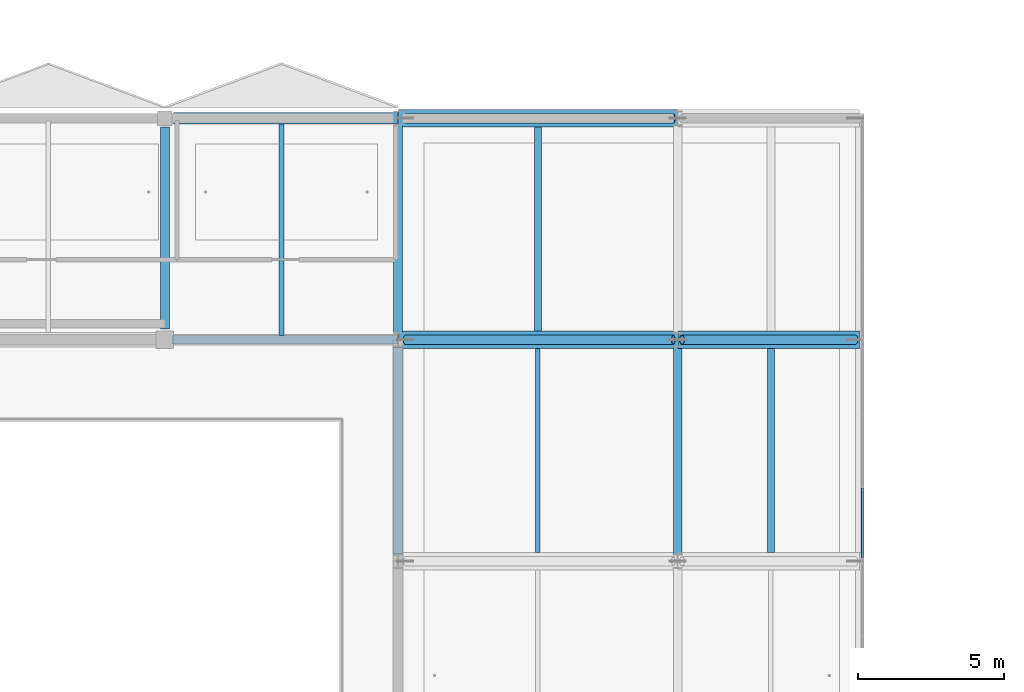
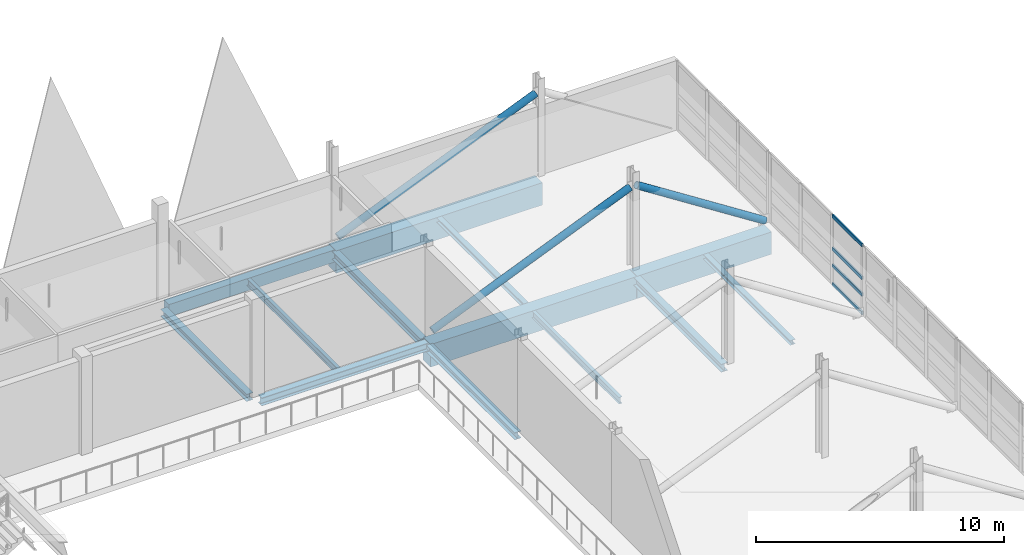
# One storey, part 23 of 141: 13 beams, 7 members, 1 element without a shape of its own.
"""IFC4 building model written with IfcOpenShell, lengths in metres."""

from ifc_helpers import new_model, si_unit, direction, frame, origin, origin_2d, place, context, subcontext, project, spatial, rectangle, hollow_rectangle, hollow_circle, i_section, extrude, material, material_profile, profile_set, type_object, element, aggregate, save


model = new_model("IFC4")

# Units and contexts
model_context = context("Model", 3, precision=1e-05, world=origin(), true_north=direction((0.0, 1.0)))
body_context = subcontext(model_context, "Body", "Model", "MODEL_VIEW")
ifc_project = project(units=[si_unit("LENGTHUNIT", "METRE"), si_unit("AREAUNIT", "SQUARE_METRE"), si_unit("VOLUMEUNIT", "CUBIC_METRE"), si_unit("PLANEANGLEUNIT", "RADIAN"), si_unit("MASSUNIT", "GRAM", prefix="KILO")], contexts=[model_context])

# Site, building, storey
site_placement = place(None, origin())
site = spatial("IfcSite", under=ifc_project, at=site_placement, CompositionType="ELEMENT")
building_placement = place(site_placement, origin())
building = spatial("IfcBuilding", under=site, at=building_placement, Name="Khelvaren Railside Concert Hall", CompositionType="ELEMENT")
storey_placement = place(building_placement, frame((0.0, 0.0, 10.199951171875)))
storey = spatial("IfcBuildingStorey", under=building, at=storey_placement, Name="L02", CompositionType="ELEMENT", Elevation=10.199951171875)

# Beams
ifc_material_1 = material(Name="Steel S355", Category="steel")
ifc_material_profile_1 = material_profile(ifc_material_1, i_section(OverallWidth=0.300048828125, OverallDepth=0.389892578125, WebThickness=0.010986328125, FlangeThickness=0.01904296875, FilletRadius=0.027099609375, at=origin_2d()), Name="HEA 400")
ifc_profile_set_1 = profile_set([ifc_material_profile_1], Name="Steel S355")
beam_type_1 = type_object("IfcBeamType", Name="BM23", PredefinedType="BEAM", material=ifc_profile_set_1)
beam_1_placement = place(storey_placement, frame((32.25, 38.0, -0.48486328125), z_axis=(1.0, 0.0, 0.0), x_axis=(0.0, 1.0, 0.0)))
element("IfcBeam", 1, at=beam_1_placement, inside=storey, type_object=beam_type_1, Name="V1 L02 Beam X6.5", PredefinedType="BEAM", context=body_context, shape_type="SweptSolid", body=[
    extrude(i_section(OverallWidth=0.300048828125, OverallDepth=0.389892578125, WebThickness=0.010986328125, FlangeThickness=0.01904296875, FilletRadius=0.027099609375, at=origin_2d()), origin(), (0.0, 0.0, 1.0), 7.739990234375),
])
for number, where, z_axis, x_axis, name in (
    (2, (40.0, 38.25, -0.48486328125), (0.0, 1.0, 0.0), (-1.0, 0.0, 0.0), "V1 L02 Beam Y6.6"),
    (3, (49.60009765625, 30.64990234375, -0.48486328125), (0.0, 1.0, 0.0), (-1.0, 0.0, 0.0), "V1 L02 Beam Y7.5"),
):
    element("IfcBeam", number, at=place(storey_placement, frame(where, z_axis=z_axis, x_axis=x_axis)), inside=storey, type_object=beam_type_1, Name=name, PredefinedType="BEAM", context=body_context, shape_type="SweptSolid", body=[
        extrude(i_section(OverallWidth=0.300048828125, OverallDepth=0.389892578125, WebThickness=0.010986328125, FlangeThickness=0.01904296875, FilletRadius=0.027099609375, at=origin_2d()), origin(), (0.0, 0.0, 1.0), 7.10009765625),
    ])
ifc_material_profile_2 = material_profile(ifc_material_1, i_section(OverallWidth=0.300048828125, OverallDepth=0.35009765625, WebThickness=0.010009765625, FlangeThickness=0.017578125, FilletRadius=0.027099609375, at=origin_2d()), Name="HEA 360")
ifc_profile_set_2 = profile_set([ifc_material_profile_2], Name="Steel S355")
beam_type_2 = type_object("IfcBeamType", Name="BM73", PredefinedType="BEAM", material=ifc_profile_set_2)
beam_2_placement = place(storey_placement, frame((32.0, 38.375, -0.46484375), z_axis=(0.0, 1.0, 0.0), x_axis=(-1.0, 0.0, 0.0)))
element("IfcBeam", 4, at=beam_2_placement, inside=storey, type_object=beam_type_2, Name="V1 L02 Beam Y5.6", PredefinedType="BEAM", context=body_context, shape_type="SweptSolid", body=[
    extrude(i_section(OverallWidth=0.300048828125, OverallDepth=0.35009765625, WebThickness=0.010009765625, FlangeThickness=0.017578125, FilletRadius=0.027099609375, at=origin_2d()), origin(), (0.0, 0.0, 1.0), 6.925048828125),
])
beam_3_placement = place(storey_placement, frame((40.0, 30.64990234375, -0.46484375), z_axis=(0.0, 1.0, 0.0), x_axis=(-1.0, 0.0, 0.0)))
element("IfcBeam", 5, at=beam_3_placement, inside=storey, type_object=beam_type_2, Name="V1 L02 Beam Y6.5", PredefinedType="BEAM", context=body_context, shape_type="SweptSolid", body=[
    extrude(i_section(OverallWidth=0.300048828125, OverallDepth=0.35009765625, WebThickness=0.010009765625, FlangeThickness=0.017578125, FilletRadius=0.027099609375, at=origin_2d()), origin(), (0.0, 0.0, 1.0), 7.10009765625),
])

# Members
ifc_material_profile_3 = material_profile(ifc_material_1, hollow_circle(Radius=0.161865234375, WallThickness=0.01611328125, at=origin_2d()), Name="CHS 323.9x16")
ifc_profile_set_3 = profile_set([ifc_material_profile_3], Name="Steel S355")
member_type_1 = type_object("IfcMemberType", Name="BR78", PredefinedType="BRACE", material=ifc_profile_set_3)
member_1_placement = place(storey_placement, frame((49.75, 38.0, 3.969970703125), z_axis=(0.841509273877, 0.0, -0.540242669528), x_axis=(0.0, 1.0, 0.0)))
element("IfcMember", 6, at=member_1_placement, inside=storey, type_object=member_type_1, Name="V1 L02 Plaza Cantilever Truss Diagonal 6A", PredefinedType="BRACE", context=body_context, shape_type="SweptSolid", body=[
    extrude(hollow_circle(Radius=0.161865234375, WallThickness=0.01611328125, at=origin_2d()), origin(), (0.0, 0.0, 1.0), 7.070556640625),
])
for number, where, z_axis, x_axis, name in (
    (7, (40.25, 38.0, 0.150146484375), (0.923556947284, 0.0, 0.38346129547), (0.0, 1.0, 0.0), "V1 L02 Plaza Cantilever Truss Backspan Diagonal 6B"),
    (8, (40.25, 45.60009765625, 0.150146484375), (0.923556947284, 0.0, 0.38346129547), (0.0, 1.0, 0.0), "V1 L02 Plaza Cantilever Truss Backspan Diagonal 7B"),
):
    element("IfcMember", number, at=place(storey_placement, frame(where, z_axis=z_axis, x_axis=x_axis)), inside=storey, type_object=member_type_1, Name=name, PredefinedType="BRACE", context=body_context, shape_type="SweptSolid", body=[
        extrude(hollow_circle(Radius=0.161865234375, WallThickness=0.01611328125, at=origin_2d()), origin(), (0.0, 0.0, 1.0), 9.96142578125),
    ])

# Curtain wall, members
ifc_material_2 = material(Name="Triple-glazed solar-control glass", Category="glass")
curtain_wall_type = type_object("IfcCurtainWallType", Name="CW80", PredefinedType="USERDEFINED", material=ifc_material_2)
curtain_wall_placement = place(storey_placement, origin())
curtain_wall = element("IfcCurtainWall", 9, at=curtain_wall_placement, inside=storey, type_object=curtain_wall_type, Name="Unitised Curtain Wall CW-V1-L02-E-30", ObjectType="UNITISED CURTAIN WALL", PredefinedType="USERDEFINED")
ifc_material_3 = material(Name="Anodised architectural aluminium 6063-T6", Category="aluminium")
ifc_material_profile_4 = material_profile(ifc_material_3, hollow_rectangle(XDim=0.074951171875, YDim=0.1650390625, WallThickness=0.00390625, InnerFilletRadius=0.001953125, OuterFilletRadius=0.00390625, at=origin_2d()), Name="CWT 75x165x4")
ifc_profile_set_4 = profile_set([ifc_material_profile_4], Name="Anodised architectural aluminium 6063-T6")
member_type_2 = type_object("IfcMemberType", Name="CWT46", PredefinedType="USERDEFINED", material=ifc_profile_set_4)
member_2_placement = place(storey_placement, frame((55.93994140625, 32.9091796875, 0.03759765625), z_axis=(0.0, -1.0, 0.0), x_axis=(1.0, 0.0, 0.0)))
member_2 = element("IfcMember", 10, at=member_2_placement, type_object=member_type_2, Name="CW80 transom 3.1", ObjectType="TRANSOM", PredefinedType="USERDEFINED", context=body_context, shape_type="SweptSolid", body=[
    extrude(hollow_rectangle(XDim=0.074951171875, YDim=0.1650390625, WallThickness=0.00390625, InnerFilletRadius=0.001953125, OuterFilletRadius=0.00390625, at=origin_2d()), origin(), (0.0, 0.0, 1.0), 2.394287109375),
])
member_3_placement = place(storey_placement, frame((55.93994140625, 32.9091796875, 0.949951171875), z_axis=(0.0, -1.0, 0.0), x_axis=(1.0, 0.0, 0.0)))
member_3 = element("IfcMember", 11, at=member_3_placement, type_object=member_type_2, Name="CW80 transom 3.2", ObjectType="TRANSOM", PredefinedType="USERDEFINED", context=body_context, shape_type="SweptSolid", body=[
    extrude(hollow_rectangle(XDim=0.074951171875, YDim=0.1650390625, WallThickness=0.00390625, InnerFilletRadius=0.001953125, OuterFilletRadius=0.00390625, at=origin_2d()), origin(), (0.0, 0.0, 1.0), 2.394287109375),
])
member_4_placement = place(storey_placement, frame((55.93994140625, 32.9091796875, 1.773193359375), z_axis=(0.0, -1.0, 0.0), x_axis=(1.0, 0.0, 0.0)))
member_4 = element("IfcMember", 12, at=member_4_placement, type_object=member_type_2, Name="CW80 transom 3.3", ObjectType="TRANSOM", PredefinedType="USERDEFINED", context=body_context, shape_type="SweptSolid", body=[
    extrude(hollow_rectangle(XDim=0.074951171875, YDim=0.1650390625, WallThickness=0.00390625, InnerFilletRadius=0.001953125, OuterFilletRadius=0.00390625, at=origin_2d()), origin(), (0.0, 0.0, 1.0), 2.394287109375),
])
member_5_placement = place(storey_placement, frame((55.93994140625, 32.9091796875, 3.37255859375), z_axis=(0.0, -1.0, 0.0), x_axis=(1.0, 0.0, 0.0)))
member_5 = element("IfcMember", 13, at=member_5_placement, type_object=member_type_2, Name="CW80 transom 3.4", ObjectType="TRANSOM", PredefinedType="USERDEFINED", context=body_context, shape_type="SweptSolid", body=[
    extrude(hollow_rectangle(XDim=0.074951171875, YDim=0.1650390625, WallThickness=0.00390625, InnerFilletRadius=0.001953125, OuterFilletRadius=0.00390625, at=origin_2d()), origin(), (0.0, 0.0, 1.0), 2.394287109375),
])
aggregate(curtain_wall, [member_2, member_3, member_4, member_5])

# Beams
ifc_material_4 = material(Name="Concrete C40/50", Category="concrete")
ifc_material_profile_5 = material_profile(ifc_material_4, rectangle(XDim=0.60009765625, YDim=1.10009765625, at=origin_2d()), Name="RCB 600x1100")
ifc_profile_set_5 = profile_set([ifc_material_profile_5], Name="Concrete C40/50")
beam_type_3 = type_object("IfcBeamType", Name="GR15", PredefinedType="T_BEAM", material=ifc_profile_set_5)
beam_4_placement = place(storey_placement, frame((40.010009765625, 38.0, -0.83984375), z_axis=(1.0, 0.0, 0.0), x_axis=(0.0, 1.0, 0.0)))
element("IfcBeam", 14, at=beam_4_placement, inside=storey, type_object=beam_type_3, Name="V1 L02 Cantilever Backspan Girder 6", PredefinedType="T_BEAM", context=body_context, shape_type="SweptSolid", body=[
    extrude(rectangle(XDim=0.60009765625, YDim=1.10009765625, at=origin_2d()), origin(), (0.0, 0.0, 1.0), 9.580078125),
])
beam_5_placement = place(storey_placement, frame((49.610107421875, 38.0, -0.83984375), z_axis=(1.0, 0.0, 0.0), x_axis=(0.0, 1.0, 0.0)))
element("IfcBeam", 15, at=beam_5_placement, inside=storey, type_object=beam_type_3, Name="V1 L02 Arrival Cantilever Girder 6", PredefinedType="T_BEAM", context=body_context, shape_type="SweptSolid", body=[
    extrude(rectangle(XDim=0.60009765625, YDim=1.10009765625, at=origin_2d()), origin(), (0.0, 0.0, 1.0), 6.239990234375),
])
beam_6_placement = place(storey_placement, frame((40.010009765625, 45.60009765625, -0.83984375), z_axis=(1.0, 0.0, 0.0), x_axis=(0.0, 1.0, 0.0)))
element("IfcBeam", 16, at=beam_6_placement, inside=storey, type_object=beam_type_3, Name="V1 L02 Cantilever Backspan Girder 7", PredefinedType="T_BEAM", context=body_context, shape_type="SweptSolid", body=[
    extrude(rectangle(XDim=0.60009765625, YDim=1.10009765625, at=origin_2d()), origin(), (0.0, 0.0, 1.0), 9.580078125),
])
ifc_material_profile_6 = material_profile(ifc_material_1, i_section(OverallWidth=0.159912109375, OverallDepth=0.330078125, WebThickness=0.007568359375, FlangeThickness=0.011474609375, FilletRadius=0.01806640625, at=origin_2d()), Name="IPE 330")
ifc_profile_set_6 = profile_set([ifc_material_profile_6], Name="Steel S355")
beam_type_4 = type_object("IfcBeamType", Name="JS65", PredefinedType="JOIST", material=ifc_profile_set_6)
beam_7_placement = place(storey_placement, frame((36.0, 38.14990234375, -0.454833984375), z_axis=(0.0, 1.0, 0.0), x_axis=(-1.0, 0.0, 0.0)))
element("IfcBeam", 17, at=beam_7_placement, inside=storey, type_object=beam_type_4, Name="V1 L02 Secondary Joist 5.6", PredefinedType="JOIST", context=body_context, shape_type="SweptSolid", body=[
    extrude(i_section(OverallWidth=0.159912109375, OverallDepth=0.330078125, WebThickness=0.007568359375, FlangeThickness=0.011474609375, FilletRadius=0.01806640625, at=origin_2d()), origin(), (0.0, 0.0, 1.0), 7.25),
])
beam_8_placement = place(storey_placement, frame((44.800048828125, 30.699951171875, -0.454833984375), z_axis=(0.0, 1.0, 0.0), x_axis=(-1.0, 0.0, 0.0)))
element("IfcBeam", 18, at=beam_8_placement, inside=storey, type_object=beam_type_4, Name="V1 L02 Secondary Joist 6.5", PredefinedType="JOIST", context=body_context, shape_type="SweptSolid", body=[
    extrude(i_section(OverallWidth=0.159912109375, OverallDepth=0.330078125, WebThickness=0.007568359375, FlangeThickness=0.011474609375, FilletRadius=0.01806640625, at=origin_2d()), origin(), (0.0, 0.0, 1.0), 7.0),
])
ifc_material_profile_7 = material_profile(ifc_material_1, i_section(OverallWidth=0.239990234375, OverallDepth=0.22998046875, WebThickness=0.007568359375, FlangeThickness=0.011962890625, FilletRadius=0.02099609375, at=origin_2d()), Name="HEA 240")
ifc_profile_set_7 = profile_set([ifc_material_profile_7], Name="Steel S355")
beam_type_5 = type_object("IfcBeamType", Name="JS76", PredefinedType="JOIST", material=ifc_profile_set_7)
for number, where, z_axis, x_axis, name in (
    (19, (44.800048828125, 38.300048828125, -0.405029296875), (0.0, 1.0, 0.0), (-1.0, 0.0, 0.0), "V1 L02 Secondary Joist 6.6"),
    (20, (52.800048828125, 30.699951171875, -0.405029296875), (0.0, 1.0, 0.0), (-1.0, 0.0, 0.0), "V1 L02 Secondary Joist 7.5"),
):
    element("IfcBeam", number, at=place(storey_placement, frame(where, z_axis=z_axis, x_axis=x_axis)), inside=storey, type_object=beam_type_5, Name=name, PredefinedType="JOIST", context=body_context, shape_type="SweptSolid", body=[
        extrude(i_section(OverallWidth=0.239990234375, OverallDepth=0.22998046875, WebThickness=0.007568359375, FlangeThickness=0.011962890625, FilletRadius=0.02099609375, at=origin_2d()), origin(), (0.0, 0.0, 1.0), 7.0),
    ])
ifc_material_profile_8 = material_profile(ifc_material_4, rectangle(XDim=0.39990234375, YDim=0.60009765625, at=origin_2d()), Name="RCB 400x600")
ifc_profile_set_8 = profile_set([ifc_material_profile_8], Name="Concrete C40/50")
beam_type_6 = type_object("IfcBeamType", Name="SP75", PredefinedType="SPANDREL", material=ifc_profile_set_8)
beam_9_placement = place(storey_placement, frame((32.300048828125, 45.60009765625, -0.58984375), z_axis=(1.0, 0.0, 0.0), x_axis=(0.0, 1.0, 0.0)))
element("IfcBeam", 21, at=beam_9_placement, inside=storey, type_object=beam_type_6, Name="V1 L02 Spandrel X7.5", PredefinedType="SPANDREL", context=body_context, shape_type="SweptSolid", body=[
    extrude(rectangle(XDim=0.39990234375, YDim=0.60009765625, at=origin_2d()), origin(), (0.0, 0.0, 1.0), 7.68994140625),
])

save(model, "model.ifc")
